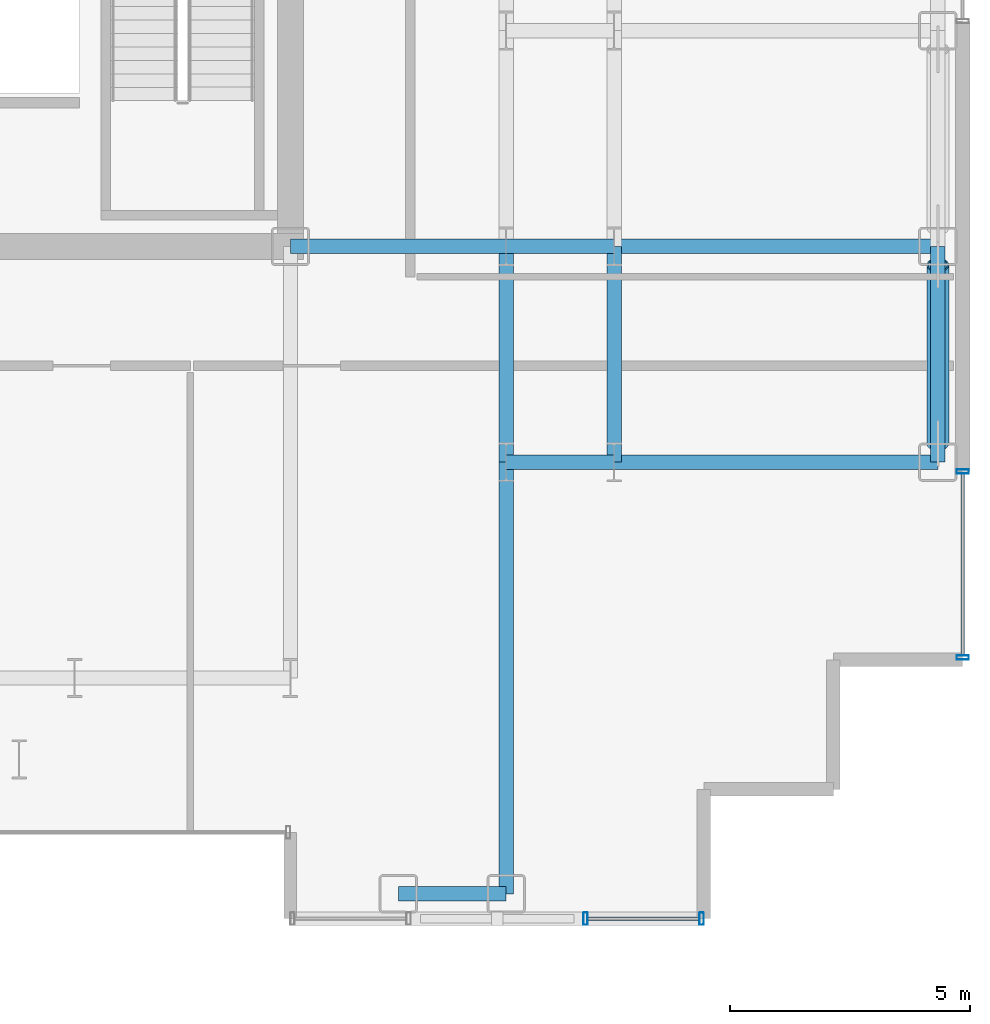
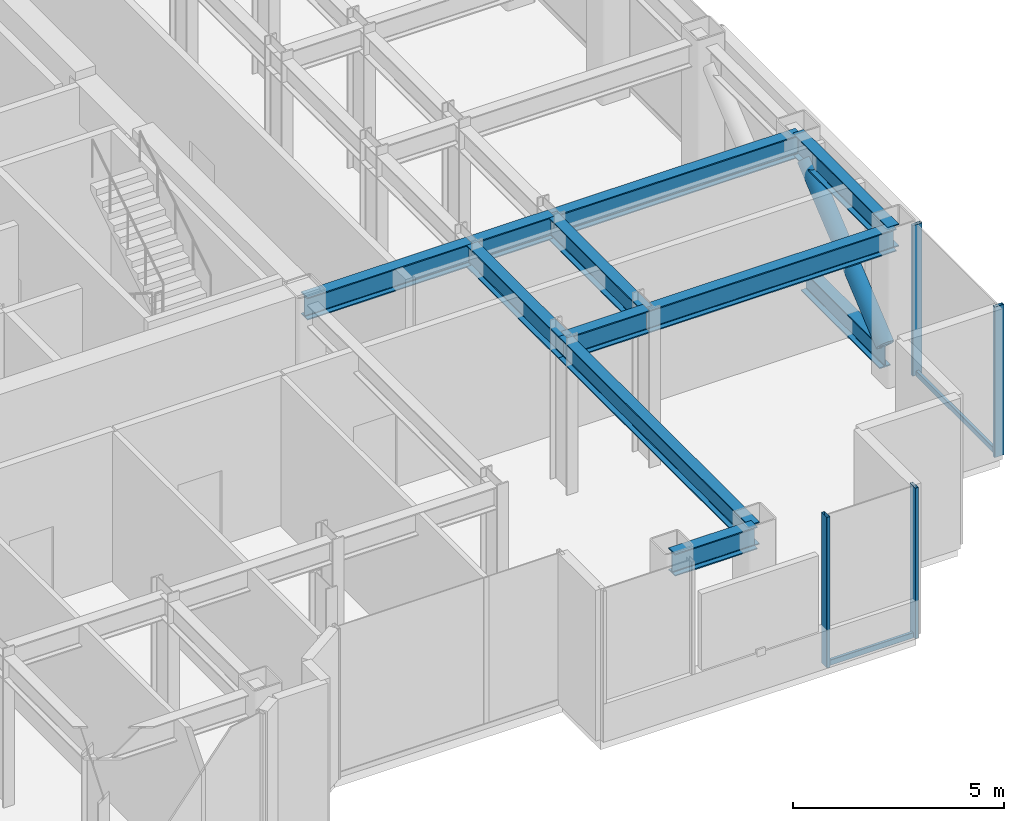
# One storey, part 9 of 26: 10 beams, 8 members, 2 elements without a shape of their own.
"""IFC4 building model written with IfcOpenShell, lengths in metres."""

from ifc_helpers import new_model, si_unit, direction, frame, origin, origin_2d, place, context, subcontext, project, spatial, hollow_rectangle, hollow_circle, i_section, extrude, source, transform, mapped, material, layer, layer_set, material_profile, profile_set, type_object, element, aggregate, save


model = new_model("IFC4")

# Units and contexts
model_context = context("Model", 3, precision=1e-05, world=origin(), true_north=direction((0.0, 1.0)))
body_context = subcontext(model_context, "Body", "Model", "MODEL_VIEW")
ifc_project = project(units=[si_unit("LENGTHUNIT", "METRE"), si_unit("AREAUNIT", "SQUARE_METRE"), si_unit("VOLUMEUNIT", "CUBIC_METRE"), si_unit("PLANEANGLEUNIT", "RADIAN"), si_unit("MASSUNIT", "GRAM", prefix="KILO")], contexts=[model_context])

# Site, building, storey
site_placement = place(None, origin())
site = spatial("IfcSite", under=ifc_project, at=site_placement, CompositionType="ELEMENT")
building_placement = place(site_placement, origin())
building = spatial("IfcBuilding", under=site, at=building_placement, Name="Nefas-Gora Pilgrimage Tower", CompositionType="ELEMENT")
storey_placement = place(building_placement, frame((0.0, 0.0, 202.0)))
storey = spatial("IfcBuildingStorey", under=building, at=storey_placement, Name="L50", CompositionType="ELEMENT", Elevation=202.0)

# Beams
ifc_material_1 = material(Name="Steel S355", Category="steel")
ifc_material_profile_1 = material_profile(ifc_material_1, i_section(OverallWidth=0.300048828125, OverallDepth=0.64990234375, WebThickness=0.01611328125, FlangeThickness=0.031005859375, FilletRadius=0.027099609375, at=origin_2d()), Name="HEB 650")
ifc_profile_set_1 = profile_set([ifc_material_profile_1], Name="Steel S355")
beam_type_1 = type_object("IfcBeamType", Name="BM-SPN-HEB500", PredefinedType="SPANDREL", material=ifc_profile_set_1)
shared_shape_1 = source(origin(), body_context, "Body", "SweptSolid", [
    extrude(i_section(OverallWidth=0.300048828125, OverallDepth=0.64990234375, WebThickness=0.01611328125, FlangeThickness=0.031005859375, FilletRadius=0.027099609375, at=origin_2d()), origin(), (0.0, 0.0, 1.0), 4.5),
])
beam_1_placement = place(storey_placement, frame((24.75, -13.5, 4.02490234375), z_axis=(0.0, 1.0, 0.0), x_axis=(-1.0, 0.0, 0.0)))
element("IfcBeam", 1, at=beam_1_placement, inside=storey, type_object=beam_type_1, Name="L50 SP-02 beam", PredefinedType="SPANDREL", context=body_context, shape_type="MappedRepresentation", body=[
    mapped(shared_shape_1, transform((0.0, 0.0, 0.0), x_axis=(1.0, 0.0, 0.0), y_axis=(0.0, 1.0, 0.0), z_axis=(0.0, 0.0, 1.0), scale=1.0)),
])
ifc_material_profile_2 = material_profile(ifc_material_1, i_section(OverallWidth=0.300048828125, OverallDepth=0.64990234375, WebThickness=0.01611328125, FlangeThickness=0.031005859375, FilletRadius=0.027099609375, at=origin_2d()), Name="HEB 650")
ifc_profile_set_2 = profile_set([ifc_material_profile_2], Name="Steel S355")
beam_type_2 = type_object("IfcBeamType", Name="BM-GIR-HEB650", PredefinedType="BEAM", material=ifc_profile_set_2)
shared_shape_2 = source(origin(), body_context, "Body", "SweptSolid", [
    extrude(i_section(OverallWidth=0.300048828125, OverallDepth=0.64990234375, WebThickness=0.01611328125, FlangeThickness=0.031005859375, FilletRadius=0.027099609375, at=origin_2d()), origin(), (0.0, 0.0, 1.0), 9.0),
])
beam_2_placement = place(storey_placement, frame((15.75, -22.5, 4.02490234375), z_axis=(0.0, 1.0, 0.0), x_axis=(-1.0, 0.0, 0.0)))
element("IfcBeam", 2, at=beam_2_placement, inside=storey, type_object=beam_type_2, Name="L50 G-03 beam", PredefinedType="BEAM", context=body_context, shape_type="MappedRepresentation", body=[
    mapped(shared_shape_2, transform((0.0, 0.0, 0.0), x_axis=(1.0, 0.0, 0.0), y_axis=(0.0, 1.0, 0.0), z_axis=(0.0, 0.0, 1.0), scale=1.0)),
])
shared_shape_3 = source(origin(), body_context, "Body", "SweptSolid", [
    extrude(i_section(OverallWidth=0.300048828125, OverallDepth=0.64990234375, WebThickness=0.01611328125, FlangeThickness=0.031005859375, FilletRadius=0.027099609375, at=origin_2d()), origin(), (0.0, 0.0, 1.0), 4.5),
])
for number, where, z_axis, x_axis, name in (
    (3, (11.25, -9.0, 4.02490234375), (1.0, 0.0, 0.0), (0.0, 1.0, 0.0), "L50 G-03 beam"),
    (4, (15.75, -13.5, 4.02490234375), (0.0, 1.0, 0.0), (-1.0, 0.0, 0.0), "L50 G-03 beam"),
    (5, (18.0, -13.5, 4.02490234375), (0.0, 1.0, 0.0), (-1.0, 0.0, 0.0), "L50 G-03 beam"),
):
    element("IfcBeam", number, at=place(storey_placement, frame(where, z_axis=z_axis, x_axis=x_axis)), inside=storey, type_object=beam_type_2, Name=name, PredefinedType="BEAM", context=body_context, shape_type="MappedRepresentation", body=[
        mapped(shared_shape_3, transform((0.0, 0.0, 0.0), x_axis=(1.0, 0.0, 0.0), y_axis=(0.0, 1.0, 0.0), z_axis=(0.0, 0.0, 1.0), scale=1.0)),
    ])
shared_shape_4 = source(origin(), body_context, "Body", "SweptSolid", [
    extrude(i_section(OverallWidth=0.300048828125, OverallDepth=0.64990234375, WebThickness=0.01611328125, FlangeThickness=0.031005859375, FilletRadius=0.027099609375, at=origin_2d()), origin(), (0.0, 0.0, 1.0), 6.75),
])
for number, where, z_axis, x_axis, name in (
    (6, (18.0, -13.5, 4.02490234375), (1.0, 0.0, 0.0), (0.0, 1.0, 0.0), "L50 G-03 beam"),
    (7, (18.0, -9.0, 4.02490234375), (1.0, 0.0, 0.0), (0.0, 1.0, 0.0), "L50 G-03 beam"),
):
    element("IfcBeam", number, at=place(storey_placement, frame(where, z_axis=z_axis, x_axis=x_axis)), inside=storey, type_object=beam_type_2, Name=name, PredefinedType="BEAM", context=body_context, shape_type="MappedRepresentation", body=[
        mapped(shared_shape_4, transform((0.0, 0.0, 0.0), x_axis=(1.0, 0.0, 0.0), y_axis=(0.0, 1.0, 0.0), z_axis=(0.0, 0.0, 1.0), scale=1.0)),
    ])
shared_shape_5 = source(origin(), body_context, "Body", "SweptSolid", [
    extrude(i_section(OverallWidth=0.300048828125, OverallDepth=0.64990234375, WebThickness=0.01611328125, FlangeThickness=0.031005859375, FilletRadius=0.027099609375, at=origin_2d()), origin(), (0.0, 0.0, 1.0), 2.25),
])
beam_3_placement = place(storey_placement, frame((13.5, -22.5, 4.02490234375), z_axis=(1.0, 0.0, 0.0), x_axis=(0.0, 1.0, 0.0)))
element("IfcBeam", 8, at=beam_3_placement, inside=storey, type_object=beam_type_1, Name="L50 SP-02 beam", PredefinedType="SPANDREL", context=body_context, shape_type="MappedRepresentation", body=[
    mapped(shared_shape_5, transform((0.0, 0.0, 0.0), x_axis=(1.0, 0.0, 0.0), y_axis=(0.0, 1.0, 0.0), z_axis=(0.0, 0.0, 1.0), scale=1.0)),
])
shared_shape_6 = source(origin(), body_context, "Body", "SweptSolid", [
    extrude(i_section(OverallWidth=0.300048828125, OverallDepth=0.64990234375, WebThickness=0.01611328125, FlangeThickness=0.031005859375, FilletRadius=0.027099609375, at=origin_2d()), origin(), (0.0, 0.0, 1.0), 2.25),
])
for number, where, z_axis, x_axis, name in (
    (9, (15.75, -13.5, 4.02490234375), (1.0, 0.0, 0.0), (0.0, 1.0, 0.0), "L50 G-03 beam"),
    (10, (15.75, -9.0, 4.02490234375), (1.0, 0.0, 0.0), (0.0, 1.0, 0.0), "L50 G-03 beam"),
):
    element("IfcBeam", number, at=place(storey_placement, frame(where, z_axis=z_axis, x_axis=x_axis)), inside=storey, type_object=beam_type_2, Name=name, PredefinedType="BEAM", context=body_context, shape_type="MappedRepresentation", body=[
        mapped(shared_shape_6, transform((0.0, 0.0, 0.0), x_axis=(1.0, 0.0, 0.0), y_axis=(0.0, 1.0, 0.0), z_axis=(0.0, 0.0, 1.0), scale=1.0)),
    ])

# Members
ifc_material_2 = material(Name="Steel S460", Category="steel")
ifc_material_profile_3 = material_profile(ifc_material_2, hollow_circle(Radius=0.228515625, WallThickness=0.028076171875, at=origin_2d()), Name="CHS 457x28")
ifc_profile_set_3 = profile_set([ifc_material_profile_3], Name="Steel S460")
member_type_1 = type_object("IfcMemberType", Name="MEM-BELT-457", PredefinedType="BRACE", material=ifc_profile_set_3)
shared_shape_7 = source(origin(), body_context, "Body", "SweptSolid", [
    extrude(hollow_circle(Radius=0.228515625, WallThickness=0.028076171875, at=origin_2d()), origin(), (0.0, 0.0, 1.0), 4.84765625),
])
member_1_placement = place(storey_placement, frame((24.75, -13.112060546875, 0.67333984375), z_axis=(0.0, 0.768237791814, 0.640164584485), x_axis=(-1.0, 0.0, 0.0)))
element("IfcMember", 11, at=member_1_placement, inside=storey, type_object=member_type_1, Name="L50 Perimeter Belt-Truss Diagonal 5", PredefinedType="BRACE", context=body_context, shape_type="MappedRepresentation", body=[
    mapped(shared_shape_7, transform((0.0, 0.0, 0.0), x_axis=(1.0, 0.0, 0.0), y_axis=(0.0, 1.0, 0.0), z_axis=(0.0, 0.0, 1.0), scale=1.0)),
])
ifc_material_profile_4 = material_profile(ifc_material_2, i_section(OverallWidth=0.300048828125, OverallDepth=0.64990234375, WebThickness=0.01611328125, FlangeThickness=0.031005859375, FilletRadius=0.027099609375, at=origin_2d()), Name="HEB 650")
ifc_profile_set_4 = profile_set([ifc_material_profile_4], Name="Steel S460")
member_type_2 = type_object("IfcMemberType", Name="MEM-BELT-CHORD", PredefinedType="CHORD", material=ifc_profile_set_4)
shared_shape_8 = source(origin(), body_context, "Body", "SweptSolid", [
    extrude(i_section(OverallWidth=0.300048828125, OverallDepth=0.64990234375, WebThickness=0.01611328125, FlangeThickness=0.031005859375, FilletRadius=0.027099609375, at=origin_2d()), origin(), (0.0, 0.0, 1.0), 3.72412109375),
])
member_2_placement = place(storey_placement, frame((24.75, -13.112060546875, 0.35009765625), z_axis=(0.0, 1.0, 0.0), x_axis=(-1.0, 0.0, 0.0)))
element("IfcMember", 12, at=member_2_placement, inside=storey, type_object=member_type_2, Name="L50 Perimeter Belt-Truss Bottom Chord 5", PredefinedType="CHORD", context=body_context, shape_type="MappedRepresentation", body=[
    mapped(shared_shape_8, transform((0.0, 0.0, 0.0), x_axis=(1.0, 0.0, 0.0), y_axis=(0.0, 1.0, 0.0), z_axis=(0.0, 0.0, 1.0), scale=1.0)),
])

# Curtain wall, members
ifc_material_3 = material(Name="Dark ceramic-fritted solar-control aluminium-glass curtain wall", Category="aluminium")
ifc_layer = layer(ifc_material_3, 0.219970703125)
ifc_layer_set = layer_set([ifc_layer], Name="Dark ceramic-fritted solar-control aluminium-glass curtain wall")
curtain_wall_type = type_object("IfcCurtainWallType", Name="CW-SYS-3", PredefinedType="NOTDEFINED", material=ifc_layer_set)
curtain_wall_1_placement = place(storey_placement, origin())
curtain_wall_1 = element("IfcCurtainWall", 13, at=curtain_wall_1_placement, inside=storey, type_object=curtain_wall_type, Name="L50 Unitised Curtain Wall CW3", PredefinedType="NOTDEFINED")
ifc_material_4 = material(Name="Anodised architectural aluminium", Category="aluminium")
ifc_material_profile_5 = material_profile(ifc_material_4, hollow_rectangle(XDim=0.090087890625, YDim=0.260009765625, WallThickness=0.006103515625, InnerFilletRadius=0.006103515625, OuterFilletRadius=0.011962890625, at=origin_2d()), Name="ALU MULLION 90x260")
ifc_profile_set_5 = profile_set([ifc_material_profile_5], Name="Anodised architectural aluminium")
member_type_3 = type_object("IfcMemberType", Name="CWM-MUL-3", PredefinedType="MULLION", material=ifc_profile_set_5)
shared_shape_9 = source(origin(), body_context, "Body", "SweptSolid", [
    extrude(hollow_rectangle(XDim=0.090087890625, YDim=0.260009765625, WallThickness=0.006103515625, InnerFilletRadius=0.006103515625, OuterFilletRadius=0.011962890625, at=origin_2d()), origin(), (0.0, 0.0, 1.0), 4.35009765625),
])
member_3_placement = place(storey_placement, frame((17.405029296875, -23.02001953125, 0.0), z_axis=(0.0, 0.0, 1.0), x_axis=(1.0, 0.0, 0.0)))
member_3 = element("IfcMember", 14, at=member_3_placement, type_object=member_type_3, Name="CW3 Mullion 1", PredefinedType="MULLION", context=body_context, shape_type="MappedRepresentation", body=[
    mapped(shared_shape_9, transform((0.0, 0.0, 0.0), x_axis=(1.0, 0.0, 0.0), y_axis=(0.0, 1.0, 0.0), z_axis=(0.0, 0.0, 1.0), scale=1.0)),
])
member_4_placement = place(storey_placement, frame((19.824951171875, -23.02001953125, 0.0), z_axis=(0.0, 0.0, 1.0), x_axis=(1.0, 0.0, 0.0)))
member_4 = element("IfcMember", 15, at=member_4_placement, type_object=member_type_3, Name="CW3 Mullion 2", PredefinedType="MULLION", context=body_context, shape_type="MappedRepresentation", body=[
    mapped(shared_shape_9, transform((0.0, 0.0, 0.0), x_axis=(1.0, 0.0, 0.0), y_axis=(0.0, 1.0, 0.0), z_axis=(0.0, 0.0, 1.0), scale=1.0)),
])

curtain_wall_2_placement = place(storey_placement, origin())
curtain_wall_2 = element("IfcCurtainWall", 16, at=curtain_wall_2_placement, inside=storey, type_object=curtain_wall_type, Name="L50 Unitised Curtain Wall CW3", PredefinedType="NOTDEFINED")
member_5_placement = place(storey_placement, frame((25.27001953125, -17.574951171875, 0.0), z_axis=(0.0, 0.0, 1.0), x_axis=(0.0, 1.0, 0.0)))
member_5 = element("IfcMember", 17, at=member_5_placement, type_object=member_type_3, Name="CW3 Mullion 1", PredefinedType="MULLION", context=body_context, shape_type="MappedRepresentation", body=[
    mapped(shared_shape_9, transform((0.0, 0.0, 0.0), x_axis=(1.0, 0.0, 0.0), y_axis=(0.0, 1.0, 0.0), z_axis=(0.0, 0.0, 1.0), scale=1.0)),
])
member_6_placement = place(storey_placement, frame((25.27001953125, -13.695068359375, 0.0), z_axis=(0.0, 0.0, 1.0), x_axis=(0.0, 1.0, 0.0)))
member_6 = element("IfcMember", 18, at=member_6_placement, type_object=member_type_3, Name="CW3 Mullion 2", PredefinedType="MULLION", context=body_context, shape_type="MappedRepresentation", body=[
    mapped(shared_shape_9, transform((0.0, 0.0, 0.0), x_axis=(1.0, 0.0, 0.0), y_axis=(0.0, 1.0, 0.0), z_axis=(0.0, 0.0, 1.0), scale=1.0)),
])

# Member
ifc_material_profile_6 = material_profile(ifc_material_4, hollow_rectangle(XDim=0.080078125, YDim=0.159912109375, WallThickness=0.00439453125, InnerFilletRadius=0.00439453125, OuterFilletRadius=0.009033203125, at=origin_2d()), Name="ALU TRANSOM 80x160")
ifc_profile_set_6 = profile_set([ifc_material_profile_6], Name="Anodised architectural aluminium")
member_type_4 = type_object("IfcMemberType", Name="CWM-TRN-3", PredefinedType="USERDEFINED", material=ifc_profile_set_6)
shared_shape_10 = source(origin(), body_context, "Body", "SweptSolid", [
    extrude(hollow_rectangle(XDim=0.080078125, YDim=0.159912109375, WallThickness=0.00439453125, InnerFilletRadius=0.00439453125, OuterFilletRadius=0.009033203125, at=origin_2d()), origin(), (0.0, 0.0, 1.0), 2.330078125),
])
member_7_placement = place(storey_placement, frame((17.449951171875, -23.02001953125, 0.050048828125), z_axis=(1.0, 0.0, 0.0), x_axis=(0.0, 1.0, 0.0)))
member_7 = element("IfcMember", 19, at=member_7_placement, type_object=member_type_4, Name="CW3 Spandrel Transom", ObjectType="TRANSOM", PredefinedType="USERDEFINED", context=body_context, shape_type="MappedRepresentation", body=[
    mapped(shared_shape_10, transform((0.0, 0.0, 0.0), x_axis=(1.0, 0.0, 0.0), y_axis=(0.0, 1.0, 0.0), z_axis=(0.0, 0.0, 1.0), scale=1.0)),
])

aggregate(curtain_wall_1, [member_3, member_4, member_7])

shared_shape_11 = source(origin(), body_context, "Body", "SweptSolid", [
    extrude(hollow_rectangle(XDim=0.080078125, YDim=0.159912109375, WallThickness=0.00439453125, InnerFilletRadius=0.00439453125, OuterFilletRadius=0.009033203125, at=origin_2d()), origin(), (0.0, 0.0, 1.0), 3.7900390625),
])
member_8_placement = place(storey_placement, frame((25.27001953125, -17.530029296875, 0.050048828125), z_axis=(0.0, 1.0, 0.0), x_axis=(-1.0, 0.0, 0.0)))
member_8 = element("IfcMember", 20, at=member_8_placement, type_object=member_type_4, Name="CW3 Spandrel Transom", ObjectType="TRANSOM", PredefinedType="USERDEFINED", context=body_context, shape_type="MappedRepresentation", body=[
    mapped(shared_shape_11, transform((0.0, 0.0, 0.0), x_axis=(1.0, 0.0, 0.0), y_axis=(0.0, 1.0, 0.0), z_axis=(0.0, 0.0, 1.0), scale=1.0)),
])

aggregate(curtain_wall_2, [member_5, member_6, member_8])

save(model, "model.ifc")
